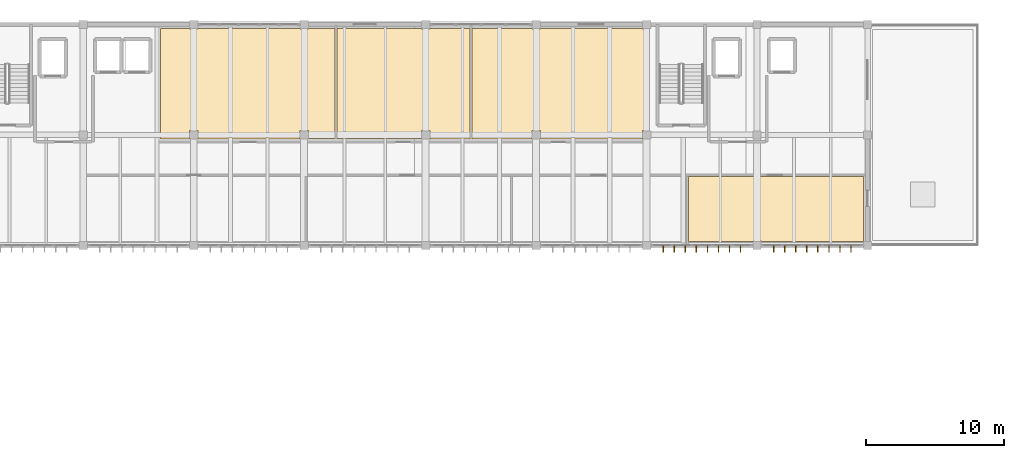
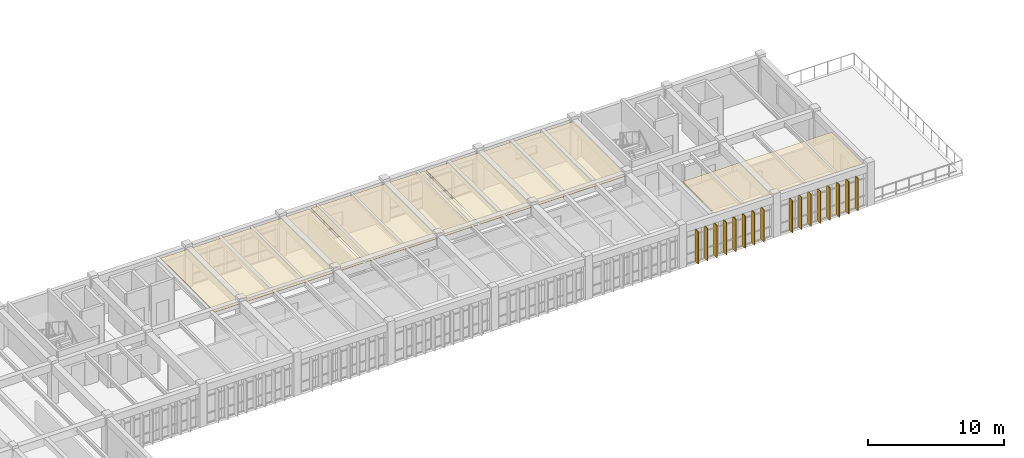
# One storey, part 21 of 22: 16 shading devices, 4 coverings.
"""IFC4 building model written with IfcOpenShell, lengths in metres."""

from ifc_helpers import new_model, si_unit, direction, frame, origin, origin_2d, place, context, subcontext, project, spatial, polyline, rectangle, outline, extrude, material, layer, layer_set, type_object, element, save


model = new_model("IFC4")

# Units and contexts
model_context = context("Model", 3, precision=1e-05, world=origin(), true_north=direction((0.0, 1.0)))
body_context = subcontext(model_context, "Body", "Model", "MODEL_VIEW")
ifc_project = project(units=[si_unit("LENGTHUNIT", "METRE"), si_unit("AREAUNIT", "SQUARE_METRE"), si_unit("VOLUMEUNIT", "CUBIC_METRE"), si_unit("PLANEANGLEUNIT", "RADIAN"), si_unit("MASSUNIT", "GRAM", prefix="KILO")], contexts=[model_context])

# Site, building, storey
site_placement = place(None, origin())
site = spatial("IfcSite", under=ifc_project, at=site_placement, CompositionType="ELEMENT")
building_placement = place(site_placement, origin())
building = spatial("IfcBuilding", under=site, at=building_placement, Name="Tlaxcora Railside Police Headquarters", CompositionType="ELEMENT")
storey_placement = place(building_placement, frame((0.0, 0.0, 21.89990234375)))
storey = spatial("IfcBuildingStorey", under=building, at=storey_placement, Name="L05", CompositionType="ELEMENT", Elevation=21.89990234375)

# Coverings
ifc_material_1 = material(Name="Mineral-fibre acoustic ceiling tile")
ifc_layer_1 = layer(ifc_material_1, 0.034912109375, Name="Mineral-fibre acoustic ceiling tile")
ifc_layer_set_1 = layer_set([ifc_layer_1], Name="Mineral-fibre acoustic ceiling tile")
covering_type = type_object("IfcCoveringType", Name="Acoustic Suspended Ceiling CLG-01", PredefinedType="CEILING", material=ifc_layer_set_1)
covering_1_placement = place(storey_placement, frame((0.0, 0.0, 3.465087890625)))
element("IfcCovering", 1, at=covering_1_placement, inside=storey, type_object=covering_type, Name="Analytical Research and Crime Statistics Unit suspended ceiling", PredefinedType="CEILING", context=body_context, shape_type="SweptSolid", body=[
    extrude(outline(polyline([(85.68994140625, 77.10009765625), (85.68994140625, 77.110107421875), (85.699951171875, 77.110107421875), (85.699951171875, 81.800048828125), (73.032958984375, 81.800048828125), (73.032958984375, 77.10009765625), (77.68994140625, 77.10009765625), (77.68994140625, 77.110107421875), (78.31005859375, 77.110107421875), (78.31005859375, 77.10009765625), (85.68994140625, 77.10009765625)])), origin(), (0.0, 0.0, 1.0), 0.034912109375),
])
covering_2_placement = place(storey_placement, frame((0.0, 0.0, 3.465087890625)))
element("IfcCovering", 2, at=covering_2_placement, inside=storey, type_object=covering_type, Name="Secure Document Shredding and Archive suspended ceiling", PredefinedType="CEILING", context=body_context, shape_type="SweptSolid", body=[
    extrude(outline(polyline([(37.510009765625, 85.110107421875), (37.510009765625, 84.5), (44.889892578125, 84.5), (44.889892578125, 85.110107421875), (45.510009765625, 85.110107421875), (45.510009765625, 84.5), (47.430908203125, 84.5), (47.430908203125, 92.5), (45.510009765625, 92.5), (45.510009765625, 92.489990234375), (44.889892578125, 92.489990234375), (44.889892578125, 92.5), (37.510009765625, 92.5), (37.510009765625, 92.489990234375), (36.889892578125, 92.489990234375), (36.889892578125, 92.5), (34.800048828125, 92.5), (34.800048828125, 84.5), (36.889892578125, 84.5), (36.889892578125, 85.110107421875), (37.510009765625, 85.110107421875)])), origin(), (0.0, 0.0, 1.0), 0.034912109375),
])
covering_3_placement = place(storey_placement, frame((0.0, 0.0, 3.465087890625)))
element("IfcCovering", 3, at=covering_3_placement, inside=storey, type_object=covering_type, Name="Accessible WC and Staff Restrooms L05 suspended ceiling", PredefinedType="CEILING", context=body_context, shape_type="SweptSolid", body=[
    extrude(outline(polyline([(57.208984375, 84.5), (57.208984375, 92.5), (54.31005859375, 92.5), (54.31005859375, 92.489990234375), (53.68994140625, 92.489990234375), (53.68994140625, 92.5), (47.591064453125, 92.5), (47.591064453125, 84.5), (53.68994140625, 84.5), (53.68994140625, 85.110107421875), (54.31005859375, 85.110107421875), (54.31005859375, 84.5), (57.208984375, 84.5)])), origin(), (0.0, 0.0, 1.0), 0.034912109375),
])
covering_4_placement = place(storey_placement, frame((0.0, 0.0, 3.465087890625)))
element("IfcCovering", 4, at=covering_4_placement, inside=storey, type_object=covering_type, Name="Staff Refreshment Pantry L05 suspended ceiling", PredefinedType="CEILING", context=body_context, shape_type="SweptSolid", body=[
    extrude(outline(polyline([(62.31005859375, 85.110107421875), (62.31005859375, 84.5), (69.68994140625, 84.5), (69.68994140625, 85.110107421875), (70.0, 85.110107421875), (70.0, 92.489990234375), (69.68994140625, 92.489990234375), (69.68994140625, 92.5), (62.31005859375, 92.5), (62.31005859375, 92.489990234375), (61.68994140625, 92.489990234375), (61.68994140625, 92.5), (57.368896484375, 92.5), (57.368896484375, 84.5), (61.68994140625, 84.5), (61.68994140625, 85.110107421875), (62.31005859375, 85.110107421875)])), origin(), (0.0, 0.0, 1.0), 0.034912109375),
])

# Shading devices
ifc_material_2 = material(Name="Anodised aluminium framing", Category="aluminium")
ifc_layer_2 = layer(ifc_material_2, 0.054931640625, Name="Anodised aluminium framing")
ifc_layer_set_2 = layer_set([ifc_layer_2], Name="Anodised aluminium framing")
shading_device_type = type_object("IfcShadingDeviceType", Name="Solar Control Fin SF-01", PredefinedType="JALOUSIE", material=ifc_layer_set_2)
for number, where, z_axis, x_axis, name in (
    (5, (71.199951171875, 76.5400390625, 0.0400390625), (0.0, 0.0, 1.0), (0.0, -1.0, 0.0), "Vertical solar fin 566"),
    (6, (72.0, 76.5400390625, 0.0400390625), (0.0, 0.0, 1.0), (0.0, -1.0, 0.0), "Vertical solar fin 567"),
    (7, (72.800048828125, 76.5400390625, 0.0400390625), (0.0, 0.0, 1.0), (0.0, -1.0, 0.0), "Vertical solar fin 568"),
    (8, (73.60009765625, 76.5400390625, 0.0400390625), (0.0, 0.0, 1.0), (0.0, -1.0, 0.0), "Vertical solar fin 569"),
    (9, (74.39990234375, 76.5400390625, 0.0400390625), (0.0, 0.0, 1.0), (0.0, -1.0, 0.0), "Vertical solar fin 570"),
    (10, (75.199951171875, 76.5400390625, 0.0400390625), (0.0, 0.0, 1.0), (0.0, -1.0, 0.0), "Vertical solar fin 571"),
    (11, (76.0, 76.5400390625, 0.0400390625), (0.0, 0.0, 1.0), (0.0, -1.0, 0.0), "Vertical solar fin 572"),
    (12, (76.800048828125, 76.5400390625, 0.0400390625), (0.0, 0.0, 1.0), (0.0, -1.0, 0.0), "Vertical solar fin 573"),
    (13, (79.199951171875, 76.5400390625, 0.0400390625), (0.0, 0.0, 1.0), (0.0, -1.0, 0.0), "Vertical solar fin 574"),
    (14, (80.0, 76.5400390625, 0.0400390625), (0.0, 0.0, 1.0), (0.0, -1.0, 0.0), "Vertical solar fin 575"),
    (15, (80.800048828125, 76.5400390625, 0.0400390625), (0.0, 0.0, 1.0), (0.0, -1.0, 0.0), "Vertical solar fin 576"),
    (16, (81.60009765625, 76.5400390625, 0.0400390625), (0.0, 0.0, 1.0), (0.0, -1.0, 0.0), "Vertical solar fin 577"),
    (17, (82.39990234375, 76.5400390625, 0.0400390625), (0.0, 0.0, 1.0), (0.0, -1.0, 0.0), "Vertical solar fin 578"),
    (18, (83.199951171875, 76.5400390625, 0.0400390625), (0.0, 0.0, 1.0), (0.0, -1.0, 0.0), "Vertical solar fin 579"),
    (19, (84.0, 76.5400390625, 0.0400390625), (0.0, 0.0, 1.0), (0.0, -1.0, 0.0), "Vertical solar fin 580"),
    (20, (84.800048828125, 76.5400390625, 0.0400390625), (0.0, 0.0, 1.0), (0.0, -1.0, 0.0), "Vertical solar fin 581"),
):
    element("IfcShadingDevice", number, at=place(storey_placement, frame(where, z_axis=z_axis, x_axis=x_axis)), inside=storey, type_object=shading_device_type, Name=name, PredefinedType="JALOUSIE", context=body_context, shape_type="SweptSolid", body=[
        extrude(rectangle(XDim=0.47998046875, YDim=0.054931640625, at=origin_2d()), origin(), (0.0, 0.0, 1.0), 2.919921875),
    ])

save(model, "model.ifc")
